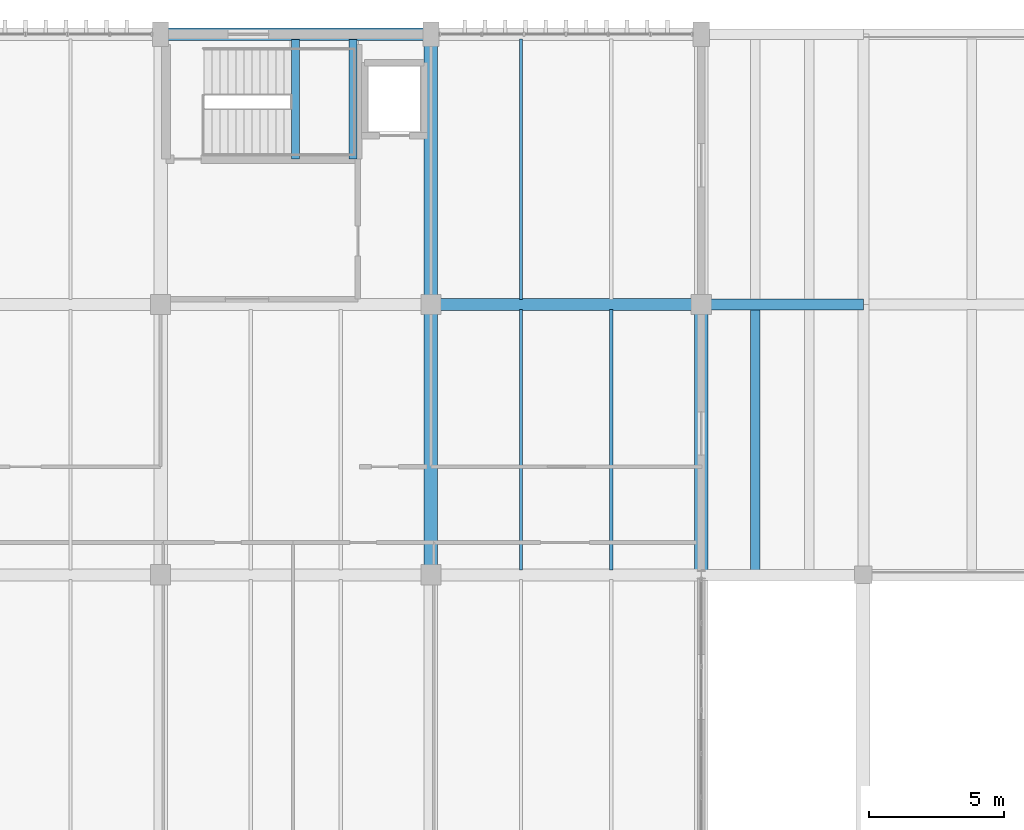
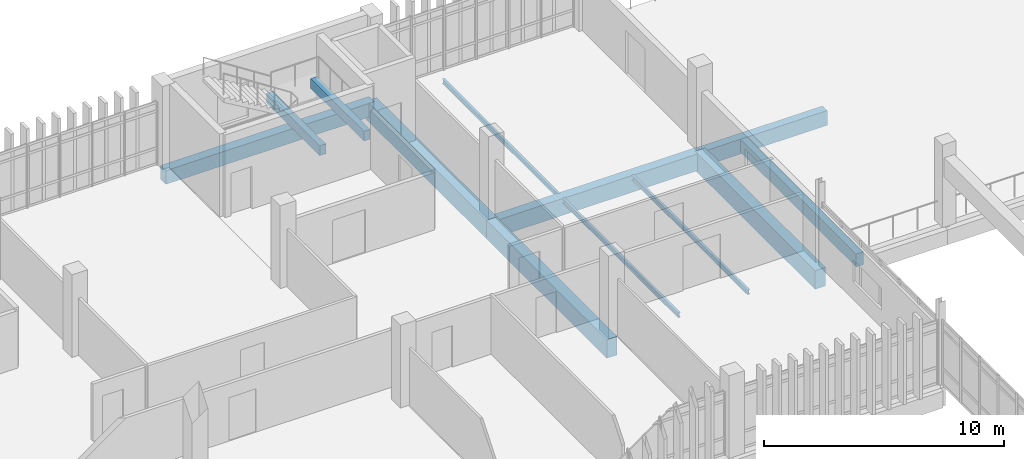
# One storey, part 58 of 111: 12 beams.
"""IFC4 building model written with IfcOpenShell, lengths in metres."""

from ifc_helpers import new_model, si_unit, direction, frame, origin, origin_2d, place, context, subcontext, project, spatial, rectangle, i_section, extrude, material, material_profile, profile_set, type_object, element, save


model = new_model("IFC4")

# Units and contexts
model_context = context("Model", 3, precision=1e-05, world=origin(), true_north=direction((0.0, 1.0)))
body_context = subcontext(model_context, "Body", "Model", "MODEL_VIEW")
ifc_project = project(units=[si_unit("LENGTHUNIT", "METRE"), si_unit("AREAUNIT", "SQUARE_METRE"), si_unit("VOLUMEUNIT", "CUBIC_METRE"), si_unit("PLANEANGLEUNIT", "RADIAN"), si_unit("MASSUNIT", "GRAM", prefix="KILO")], contexts=[model_context])

# Site, building, storey
site_placement = place(None, origin())
site = spatial("IfcSite", under=ifc_project, at=site_placement, CompositionType="ELEMENT")
building_placement = place(site_placement, origin())
building = spatial("IfcBuilding", under=site, at=building_placement, Name="Mersad Railyard Sports Hall", CompositionType="ELEMENT")
storey_placement = place(building_placement, frame((0.0, 0.0, 9.0)))
storey = spatial("IfcBuildingStorey", under=building, at=storey_placement, Name="L02", CompositionType="ELEMENT", Elevation=9.0)

# Beams
ifc_material_1 = material(Name="Concrete C40/50", Category="concrete")
ifc_material_profile_1 = material_profile(ifc_material_1, rectangle(XDim=0.39990234375, YDim=0.75, at=origin_2d()), Name="RC 400x750")
ifc_profile_set_1 = profile_set([ifc_material_profile_1], Name="Concrete C40/50")
beam_type_1 = type_object("IfcBeamType", Name="STR-BM-B01", PredefinedType="BEAM", material=ifc_profile_set_1)
beam_1_placement = place(storey_placement, frame((131.0, 105.0, -0.675048828125), z_axis=(1.0, 0.0, 0.0), x_axis=(0.0, 1.0, 0.0)))
element("IfcBeam", 1, at=beam_1_placement, inside=storey, type_object=beam_type_1, Name="Beam B01-1129", PredefinedType="BEAM", context=body_context, shape_type="SweptSolid", body=[
    extrude(rectangle(XDim=0.39990234375, YDim=0.75, at=origin_2d()), origin(), (0.0, 0.0, 1.0), 6.0),
])
ifc_material_profile_2 = material_profile(ifc_material_1, rectangle(XDim=0.449951171875, YDim=0.85009765625, at=origin_2d()), Name="RC 450x850")
ifc_profile_set_2 = profile_set([ifc_material_profile_2], Name="Concrete C40/50")
beam_type_2 = type_object("IfcBeamType", Name="STR-BM-B02", PredefinedType="BEAM", material=ifc_profile_set_2)
beam_2_placement = place(storey_placement, frame((121.0, 105.0, -0.72509765625), z_axis=(1.0, 0.0, 0.0), x_axis=(0.0, 1.0, 0.0)))
element("IfcBeam", 2, at=beam_2_placement, inside=storey, type_object=beam_type_2, Name="Beam B02-1088", PredefinedType="BEAM", context=body_context, shape_type="SweptSolid", body=[
    extrude(rectangle(XDim=0.449951171875, YDim=0.85009765625, at=origin_2d()), origin(), (0.0, 0.0, 1.0), 10.0),
])
ifc_material_2 = material(Name="Concrete C50/60", Category="concrete")
ifc_material_profile_3 = material_profile(ifc_material_2, rectangle(XDim=0.5, YDim=0.949951171875, at=origin_2d()), Name="RC 500x950")
ifc_profile_set_3 = profile_set([ifc_material_profile_3], Name="Concrete C50/60")
beam_type_3 = type_object("IfcBeamType", Name="STR-BM-B03", PredefinedType="BEAM", material=ifc_profile_set_3)
for number, where, z_axis, x_axis, name in (
    (3, (121.0, 95.0, -0.77490234375), (0.0, 1.0, 0.0), (-1.0, 0.0, 0.0), "Beam B03-1119"),
    (4, (121.0, 105.0, -0.77490234375), (0.0, 1.0, 0.0), (-1.0, 0.0, 0.0), "Beam B03-1120"),
    (5, (131.0, 95.0, -0.77490234375), (0.0, 1.0, 0.0), (-1.0, 0.0, 0.0), "Beam B03-1122"),
):
    element("IfcBeam", number, at=place(storey_placement, frame(where, z_axis=z_axis, x_axis=x_axis)), inside=storey, type_object=beam_type_3, Name=name, PredefinedType="BEAM", context=body_context, shape_type="SweptSolid", body=[
        extrude(rectangle(XDim=0.5, YDim=0.949951171875, at=origin_2d()), origin(), (0.0, 0.0, 1.0), 10.0),
    ])
ifc_material_profile_4 = material_profile(ifc_material_1, rectangle(XDim=0.35009765625, YDim=0.64990234375, at=origin_2d()), Name="RC 350x650")
ifc_profile_set_4 = profile_set([ifc_material_profile_4], Name="Concrete C40/50")
beam_type_4 = type_object("IfcBeamType", Name="STR-BM-J01", PredefinedType="JOIST", material=ifc_profile_set_4)
beam_3_placement = place(storey_placement, frame((133.0, 95.179931640625, -0.625), z_axis=(0.0, 1.0, 0.0), x_axis=(-1.0, 0.0, 0.0)))
element("IfcBeam", 6, at=beam_3_placement, inside=storey, type_object=beam_type_4, Name="Beam J01-1192", PredefinedType="JOIST", context=body_context, shape_type="SweptSolid", body=[
    extrude(rectangle(XDim=0.35009765625, YDim=0.64990234375, at=origin_2d()), origin(), (0.0, 0.0, 1.0), 9.64013671875),
])
ifc_material_profile_5 = material_profile(ifc_material_1, rectangle(XDim=0.300048828125, YDim=0.5, at=origin_2d()), Name="RC 300x500")
ifc_profile_set_5 = profile_set([ifc_material_profile_5], Name="Concrete C40/50")
beam_type_5 = type_object("IfcBeamType", Name="STR-BM-LN01", PredefinedType="LINTEL", material=ifc_profile_set_5)
for number, where, z_axis, x_axis, name in (
    (7, (115.99609375, 110.3798828125, 1.669921875), (0.0, 1.0, 0.0), (-1.0, 0.0, 0.0), "Stair ST03D landing beam W"),
    (8, (118.1201171875, 110.3798828125, 1.669921875), (0.0, 1.0, 0.0), (-1.0, 0.0, 0.0), "Stair ST03D landing beam E"),
):
    element("IfcBeam", number, at=place(storey_placement, frame(where, z_axis=z_axis, x_axis=x_axis)), inside=storey, type_object=beam_type_5, Name=name, PredefinedType="LINTEL", context=body_context, shape_type="SweptSolid", body=[
        extrude(rectangle(XDim=0.300048828125, YDim=0.5, at=origin_2d()), origin(), (0.0, 0.0, 1.0), 4.43017578125),
    ])
ifc_material_3 = material(Name="Steel S355", Category="steel")
ifc_material_profile_6 = material_profile(ifc_material_3, i_section(OverallWidth=0.1201171875, OverallDepth=0.239990234375, WebThickness=0.006103515625, FlangeThickness=0.009765625, at=origin_2d()), Name="IPE 240")
ifc_profile_set_6 = profile_set([ifc_material_profile_6], Name="Steel S355")
beam_type_6 = type_object("IfcBeamType", Name="STR-BM-SB03", PredefinedType="BEAM", material=ifc_profile_set_6)
for number, where, z_axis, x_axis, name in (
    (9, (124.3330078125, 95.179931640625, -0.419921875), (0.0, 1.0, 0.0), (-1.0, 0.0, 0.0), "Beam SB03-1188"),
    (10, (127.6669921875, 95.179931640625, -0.419921875), (0.0, 1.0, 0.0), (-1.0, 0.0, 0.0), "Beam SB03-1189"),
    (11, (124.3330078125, 105.179931640625, -0.419921875), (0.0, 1.0, 0.0), (-1.0, 0.0, 0.0), "Beam SB03-1190"),
):
    element("IfcBeam", number, at=place(storey_placement, frame(where, z_axis=z_axis, x_axis=x_axis)), inside=storey, type_object=beam_type_6, Name=name, PredefinedType="BEAM", context=body_context, shape_type="SweptSolid", body=[
        extrude(i_section(OverallWidth=0.1201171875, OverallDepth=0.239990234375, WebThickness=0.006103515625, FlangeThickness=0.009765625, at=origin_2d()), origin(), (0.0, 0.0, 1.0), 9.64013671875),
    ])
ifc_material_4 = material(Name="Architectural concrete C40/50", Category="concrete")
ifc_material_profile_7 = material_profile(ifc_material_4, rectangle(XDim=0.449951171875, YDim=0.699951171875, at=origin_2d()), Name="RC 450x700")
ifc_profile_set_7 = profile_set([ifc_material_profile_7], Name="Architectural concrete C40/50")
beam_type_7 = type_object("IfcBeamType", Name="STR-BM-SP01", PredefinedType="SPANDREL", material=ifc_profile_set_7)
beam_4_placement = place(storey_placement, frame((111.0, 115.0, -0.64990234375), z_axis=(1.0, 0.0, 0.0), x_axis=(0.0, 1.0, 0.0)))
element("IfcBeam", 12, at=beam_4_placement, inside=storey, type_object=beam_type_7, Name="Beam SP01-1095", PredefinedType="SPANDREL", context=body_context, shape_type="SweptSolid", body=[
    extrude(rectangle(XDim=0.449951171875, YDim=0.699951171875, at=origin_2d()), origin(), (0.0, 0.0, 1.0), 10.0),
])

save(model, "model.ifc")
